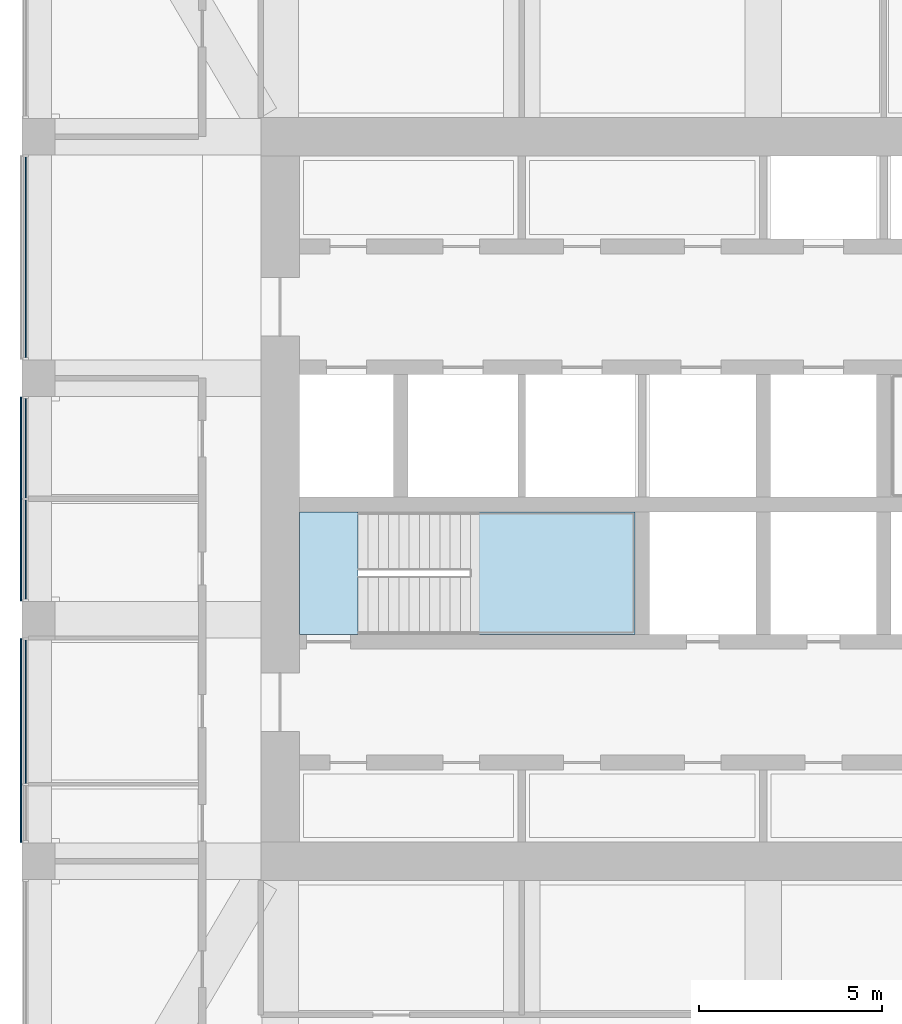
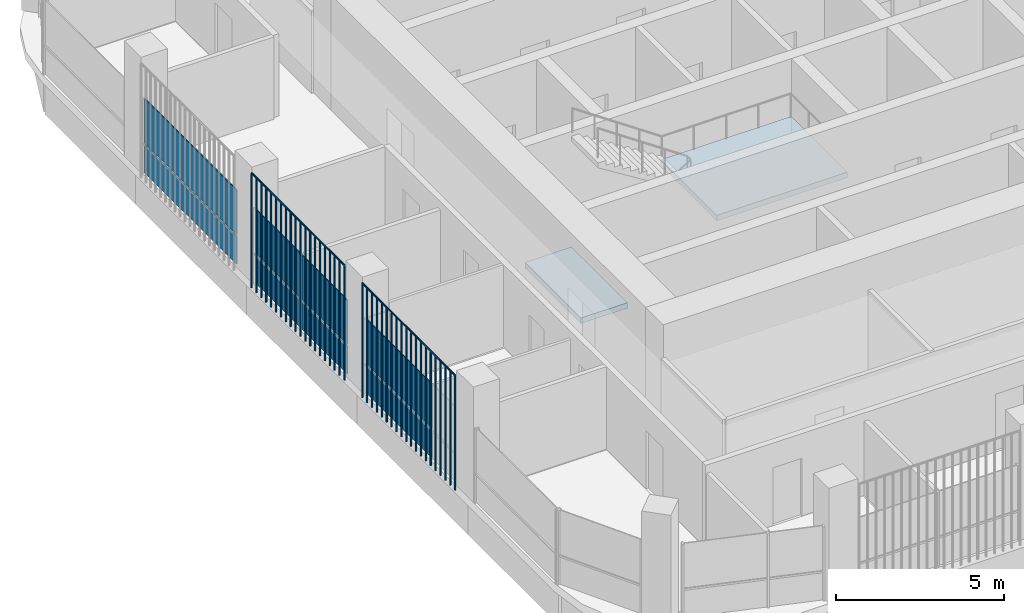
# One storey, part 9 of 21: 10 plates, 2 slabs, 4 elements without a shape of their own.
"""IFC4 building model written with IfcOpenShell, lengths in metres."""

from ifc_helpers import new_model, si_unit, direction, frame, origin, origin_2d, place, context, subcontext, project, spatial, polyline, rectangle, outline, extrude, material, layer, layer_set, type_object, element, aggregate, save


model = new_model("IFC4")

# Units and contexts
model_context = context("Model", 3, precision=1e-05, world=origin(), true_north=direction((0.0, 1.0)))
body_context = subcontext(model_context, "Body", "Model", "MODEL_VIEW")
ifc_project = project(units=[si_unit("LENGTHUNIT", "METRE"), si_unit("AREAUNIT", "SQUARE_METRE"), si_unit("VOLUMEUNIT", "CUBIC_METRE"), si_unit("PLANEANGLEUNIT", "RADIAN"), si_unit("MASSUNIT", "GRAM", prefix="KILO")], contexts=[model_context])

# Site, building, storey
site_placement = place(None, origin())
site = spatial("IfcSite", under=ifc_project, at=site_placement, CompositionType="ELEMENT")
building_placement = place(site_placement, origin())
building = spatial("IfcBuilding", under=site, at=building_placement, Name="Cobogo Forest Laboratory Tower", CompositionType="ELEMENT")
storey_placement = place(building_placement, frame((0.0, 0.0, 283.800048828125)))
storey = spatial("IfcBuildingStorey", under=building, at=storey_placement, Name="L65", CompositionType="ELEMENT", Elevation=283.800048828125)

# Curtain wall, plates
ifc_material_1 = material(Name="Aluminium curtain wall", Category="aluminium")
curtain_wall_type = type_object("IfcCurtainWallType", Name="CW-2 unitised curtain wall, solar control glazing, laboratory floors zones C and D", PredefinedType="USERDEFINED", material=ifc_material_1)
curtain_wall_1_placement = place(storey_placement, origin())
curtain_wall_1 = element("IfcCurtainWall", 1, at=curtain_wall_1_placement, inside=storey, type_object=curtain_wall_type, Name="Curtain wall 21 L65", ObjectType="UNITISED CURTAIN WALL", PredefinedType="USERDEFINED")
ifc_material_2 = material(Name="Solar control insulated glass", Category="glass")
ifc_layer_1 = layer(ifc_material_2, 0.031982421875)
ifc_layer_set_1 = layer_set([ifc_layer_1], Name="GP-2 solar control glass unit 32")
plate_type_1 = type_object("IfcPlateType", Name="GP-2 solar control glass unit 32", PredefinedType="CURTAIN_PANEL", material=ifc_layer_set_1)
plate_1_placement = place(storey_placement, frame((6.25, 29.699951171875, 0.0), z_axis=(0.0, 0.0, 1.0), x_axis=(0.0, -1.0, 0.0)))
plate_1 = element("IfcPlate", 2, at=plate_1_placement, type_object=plate_type_1, Name="CW-2 panel 1.1", PredefinedType="CURTAIN_PANEL", context=body_context, shape_type="SweptSolid", body=[
    extrude(rectangle(XDim=5.47998046875, YDim=0.031982421875, at=origin_2d()), origin(), (0.0, 0.0, 1.0), 1.02001953125),
])
plate_2_placement = place(storey_placement, frame((6.25, 29.699951171875, 1.079833984375), z_axis=(0.0, 0.0, 1.0), x_axis=(0.0, -1.0, 0.0)))
plate_2 = element("IfcPlate", 3, at=plate_2_placement, type_object=plate_type_1, Name="CW-2 panel 1.2", PredefinedType="CURTAIN_PANEL", context=body_context, shape_type="SweptSolid", body=[
    extrude(rectangle(XDim=5.47998046875, YDim=0.031982421875, at=origin_2d()), origin(), (0.0, 0.0, 1.0), 1.6201171875),
])
aggregate(curtain_wall_1, [plate_1, plate_2])

curtain_wall_2_placement = place(storey_placement, origin())
curtain_wall_2 = element("IfcCurtainWall", 4, at=curtain_wall_2_placement, inside=storey, type_object=curtain_wall_type, Name="Curtain wall 22 L65", ObjectType="UNITISED CURTAIN WALL", PredefinedType="USERDEFINED")
plate_3_placement = place(storey_placement, frame((6.25, 24.485107421875, 0.0), z_axis=(0.0, 0.0, 1.0), x_axis=(0.0, -1.0, 0.0)))
plate_3 = element("IfcPlate", 5, at=plate_3_placement, type_object=plate_type_1, Name="CW-2 panel 1.1", PredefinedType="CURTAIN_PANEL", context=body_context, shape_type="SweptSolid", body=[
    extrude(rectangle(XDim=2.7099609375, YDim=0.031982421875, at=origin_2d()), origin(), (0.0, 0.0, 1.0), 1.02001953125),
])
plate_4_placement = place(storey_placement, frame((6.25, 24.485107421875, 1.079833984375), z_axis=(0.0, 0.0, 1.0), x_axis=(0.0, -1.0, 0.0)))
plate_4 = element("IfcPlate", 6, at=plate_4_placement, type_object=plate_type_1, Name="CW-2 panel 1.2", PredefinedType="CURTAIN_PANEL", context=body_context, shape_type="SweptSolid", body=[
    extrude(rectangle(XDim=2.7099609375, YDim=0.031982421875, at=origin_2d()), origin(), (0.0, 0.0, 1.0), 1.6201171875),
])
plate_5_placement = place(storey_placement, frame((6.25, 21.715087890625, 0.0), z_axis=(0.0, 0.0, 1.0), x_axis=(0.0, -1.0, 0.0)))
plate_5 = element("IfcPlate", 7, at=plate_5_placement, type_object=plate_type_1, Name="CW-2 panel 2.1", PredefinedType="CURTAIN_PANEL", context=body_context, shape_type="SweptSolid", body=[
    extrude(rectangle(XDim=2.7099609375, YDim=0.031982421875, at=origin_2d()), origin(), (0.0, 0.0, 1.0), 1.02001953125),
])
plate_6_placement = place(storey_placement, frame((6.25, 21.715087890625, 1.079833984375), z_axis=(0.0, 0.0, 1.0), x_axis=(0.0, -1.0, 0.0)))
plate_6 = element("IfcPlate", 8, at=plate_6_placement, type_object=plate_type_1, Name="CW-2 panel 2.2", PredefinedType="CURTAIN_PANEL", context=body_context, shape_type="SweptSolid", body=[
    extrude(rectangle(XDim=2.7099609375, YDim=0.031982421875, at=origin_2d()), origin(), (0.0, 0.0, 1.0), 1.6201171875),
])
aggregate(curtain_wall_2, [plate_3, plate_4, plate_5, plate_6])

curtain_wall_3_placement = place(storey_placement, origin())
curtain_wall_3 = element("IfcCurtainWall", 9, at=curtain_wall_3_placement, inside=storey, type_object=curtain_wall_type, Name="Curtain wall 23 L65", ObjectType="UNITISED CURTAIN WALL", PredefinedType="USERDEFINED")
plate_7_placement = place(storey_placement, frame((6.25, 17.284912109375, 0.0), z_axis=(0.0, 0.0, 1.0), x_axis=(0.0, -1.0, 0.0)))
plate_7 = element("IfcPlate", 10, at=plate_7_placement, type_object=plate_type_1, Name="CW-2 panel 1.1", PredefinedType="CURTAIN_PANEL", context=body_context, shape_type="SweptSolid", body=[
    extrude(rectangle(XDim=3.909912109375, YDim=0.031982421875, at=origin_2d()), origin(), (0.0, 0.0, 1.0), 1.02001953125),
])
plate_8_placement = place(storey_placement, frame((6.25, 17.284912109375, 1.079833984375), z_axis=(0.0, 0.0, 1.0), x_axis=(0.0, -1.0, 0.0)))
plate_8 = element("IfcPlate", 11, at=plate_8_placement, type_object=plate_type_1, Name="CW-2 panel 1.2", PredefinedType="CURTAIN_PANEL", context=body_context, shape_type="SweptSolid", body=[
    extrude(rectangle(XDim=3.909912109375, YDim=0.031982421875, at=origin_2d()), origin(), (0.0, 0.0, 1.0), 1.6201171875),
])
aggregate(curtain_wall_3, [plate_7, plate_8])

# Stair, slabs
ifc_material_3 = material(Name="Precast concrete HA-40 (C40/50)", Category="concrete")
stair_type = type_object("IfcStairType", Name="ST24 exit stair 24 risers", PredefinedType="HALF_TURN_STAIR", material=ifc_material_3)
stair_placement = place(storey_placement, origin())
stair = element("IfcStair", 12, at=stair_placement, inside=storey, type_object=stair_type, Name="Stair 1 L65 to L66", PredefinedType="HALF_TURN_STAIR")
ifc_material_4 = material(Name="Concrete HA-40 (C40/50)", Category="concrete")
ifc_layer_2 = layer(ifc_material_4, 0.199951171875)
ifc_layer_set_2 = layer_set([ifc_layer_2], Name="SL stair landing 200")
slab_type = type_object("IfcSlabType", Name="SL stair landing 200", PredefinedType="LANDING", material=ifc_layer_set_2)
slab_1_placement = place(storey_placement, frame((0.0, 0.0, -0.199951171875)))
slab_1 = element("IfcSlab", 13, at=slab_1_placement, type_object=slab_type, Name="ST1 landing 1", PredefinedType="LANDING", context=body_context, shape_type="SweptSolid", body=[
    extrude(outline(polyline([(13.72509765625, 19.39990234375), (15.326904296875, 19.39990234375), (15.326904296875, 22.75), (13.72509765625, 22.75), (13.72509765625, 19.39990234375)])), origin(), (0.0, 0.0, 1.0), 0.199951171875),
])
slab_2_placement = place(storey_placement, frame((0.0, 0.0, 1.89990234375)))
slab_2 = element("IfcSlab", 14, at=slab_2_placement, type_object=slab_type, Name="ST1 landing 2", PredefinedType="LANDING", context=body_context, shape_type="SweptSolid", body=[
    extrude(outline(polyline([(18.403076171875, 19.39990234375), (22.89990234375, 19.39990234375), (22.89990234375, 22.75), (18.403076171875, 22.75), (18.403076171875, 19.39990234375)])), origin(), (0.0, 0.0, 1.0), 0.199951171875),
])
aggregate(stair, [slab_1, slab_2])

# Plates
ifc_material_5 = material(Name="Terracotta", Category="masonry")
plate_type_2 = type_object("IfcPlateType", Name="TB1 terracotta baguette screen", PredefinedType="USERDEFINED", material=ifc_material_5)
plate_9_placement = place(storey_placement, frame((6.1220703125, 13.731201171875, -0.150146484375)))
element("IfcPlate", 15, at=plate_9_placement, inside=storey, type_object=plate_type_2, Name="Baguette screen W1 L65", ObjectType="BAGUETTE SCREEN", PredefinedType="USERDEFINED", context=body_context, shape_type="SweptSolid", body=[
    extrude(outline(polyline([(0.02880859375, 0.011962890625), (0.011962890625, 0.02880859375), (-0.011962890625, 0.02880859375), (-0.02880859375, 0.011962890625), (-0.02880859375, -0.011962890625), (-0.011962890625, -0.02880859375), (0.011962890625, -0.02880859375), (0.02880859375, -0.011962890625), (0.02880859375, 0.011962890625)])), frame((0.0, 0.0, 4.168701171875), z_axis=(0.0, 1.0, 0.0), x_axis=(-1.0, 0.0, 0.0)), (0.0, 0.0, 1.0), 5.53759765625),
    extrude(outline(polyline([(0.02880859375, 0.011962890625), (0.011962890625, 0.02880859375), (-0.011962890625, 0.02880859375), (-0.02880859375, 0.011962890625), (-0.02880859375, -0.011962890625), (-0.011962890625, -0.02880859375), (0.011962890625, -0.02880859375), (0.02880859375, -0.011962890625), (0.02880859375, 0.011962890625)])), origin(), (0.0, 0.0, 1.0), 4.137451171875),
    extrude(outline(polyline([(0.02880859375, 0.011962890625), (0.011962890625, 0.02880859375), (-0.011962890625, 0.02880859375), (-0.02880859375, 0.011962890625), (-0.02880859375, -0.011962890625), (-0.011962890625, -0.02880859375), (0.011962890625, -0.02880859375), (0.02880859375, -0.011962890625), (0.02880859375, 0.011962890625)])), frame((0.0, 0.29150390625, 0.0)), (0.0, 0.0, 1.0), 4.137451171875),
    extrude(outline(polyline([(0.02880859375, 0.011962890625), (0.011962890625, 0.02880859375), (-0.011962890625, 0.02880859375), (-0.02880859375, 0.011962890625), (-0.02880859375, -0.011962890625), (-0.011962890625, -0.02880859375), (0.011962890625, -0.02880859375), (0.02880859375, -0.011962890625), (0.02880859375, 0.011962890625)])), frame((0.0, 0.5830078125, 0.0)), (0.0, 0.0, 1.0), 4.137451171875),
    extrude(outline(polyline([(0.02880859375, 0.011962890625), (0.011962890625, 0.02880859375), (-0.011962890625, 0.02880859375), (-0.02880859375, 0.011962890625), (-0.02880859375, -0.011962890625), (-0.011962890625, -0.02880859375), (0.011962890625, -0.02880859375), (0.02880859375, -0.011962890625), (0.02880859375, 0.011962890625)])), frame((0.0, 0.874267578125, 0.0)), (0.0, 0.0, 1.0), 4.137451171875),
    extrude(outline(polyline([(0.02880859375, 0.011962890625), (0.011962890625, 0.02880859375), (-0.011962890625, 0.02880859375), (-0.02880859375, 0.011962890625), (-0.02880859375, -0.011962890625), (-0.011962890625, -0.02880859375), (0.011962890625, -0.02880859375), (0.02880859375, -0.011962890625), (0.02880859375, 0.011962890625)])), frame((0.0, 1.165771484375, 0.0)), (0.0, 0.0, 1.0), 4.137451171875),
    extrude(outline(polyline([(0.02880859375, 0.011962890625), (0.011962890625, 0.02880859375), (-0.011962890625, 0.02880859375), (-0.02880859375, 0.011962890625), (-0.02880859375, -0.011962890625), (-0.011962890625, -0.02880859375), (0.011962890625, -0.02880859375), (0.02880859375, -0.011962890625), (0.02880859375, 0.011962890625)])), frame((0.0, 1.457275390625, 0.0)), (0.0, 0.0, 1.0), 4.137451171875),
    extrude(outline(polyline([(0.02880859375, 0.011962890625), (0.011962890625, 0.02880859375), (-0.011962890625, 0.02880859375), (-0.02880859375, 0.011962890625), (-0.02880859375, -0.011962890625), (-0.011962890625, -0.02880859375), (0.011962890625, -0.02880859375), (0.02880859375, -0.011962890625), (0.02880859375, 0.011962890625)])), frame((0.0, 1.748779296875, 0.0)), (0.0, 0.0, 1.0), 4.137451171875),
    extrude(outline(polyline([(0.02880859375, 0.011962890625), (0.011962890625, 0.02880859375), (-0.011962890625, 0.02880859375), (-0.02880859375, 0.011962890625), (-0.02880859375, -0.011962890625), (-0.011962890625, -0.02880859375), (0.011962890625, -0.02880859375), (0.02880859375, -0.011962890625), (0.02880859375, 0.011962890625)])), frame((0.0, 2.040283203125, 0.0)), (0.0, 0.0, 1.0), 4.137451171875),
    extrude(outline(polyline([(0.02880859375, 0.011962890625), (0.011962890625, 0.02880859375), (-0.011962890625, 0.02880859375), (-0.02880859375, 0.011962890625), (-0.02880859375, -0.011962890625), (-0.011962890625, -0.02880859375), (0.011962890625, -0.02880859375), (0.02880859375, -0.011962890625), (0.02880859375, 0.011962890625)])), frame((0.0, 2.33154296875, 0.0)), (0.0, 0.0, 1.0), 4.137451171875),
    extrude(outline(polyline([(0.02880859375, 0.011962890625), (0.011962890625, 0.02880859375), (-0.011962890625, 0.02880859375), (-0.02880859375, 0.011962890625), (-0.02880859375, -0.011962890625), (-0.011962890625, -0.02880859375), (0.011962890625, -0.02880859375), (0.02880859375, -0.011962890625), (0.02880859375, 0.011962890625)])), frame((0.0, 2.623046875, 0.0)), (0.0, 0.0, 1.0), 4.137451171875),
    extrude(outline(polyline([(0.02880859375, 0.011962890625), (0.011962890625, 0.02880859375), (-0.011962890625, 0.02880859375), (-0.02880859375, 0.011962890625), (-0.02880859375, -0.011962890625), (-0.011962890625, -0.02880859375), (0.011962890625, -0.02880859375), (0.02880859375, -0.011962890625), (0.02880859375, 0.011962890625)])), frame((0.0, 2.91455078125, 0.0)), (0.0, 0.0, 1.0), 4.137451171875),
    extrude(outline(polyline([(0.02880859375, 0.011962890625), (0.011962890625, 0.02880859375), (-0.011962890625, 0.02880859375), (-0.02880859375, 0.011962890625), (-0.02880859375, -0.011962890625), (-0.011962890625, -0.02880859375), (0.011962890625, -0.02880859375), (0.02880859375, -0.011962890625), (0.02880859375, 0.011962890625)])), frame((0.0, 3.2060546875, 0.0)), (0.0, 0.0, 1.0), 4.137451171875),
    extrude(outline(polyline([(0.02880859375, 0.011962890625), (0.011962890625, 0.02880859375), (-0.011962890625, 0.02880859375), (-0.02880859375, 0.011962890625), (-0.02880859375, -0.011962890625), (-0.011962890625, -0.02880859375), (0.011962890625, -0.02880859375), (0.02880859375, -0.011962890625), (0.02880859375, 0.011962890625)])), frame((0.0, 3.497314453125, 0.0)), (0.0, 0.0, 1.0), 4.137451171875),
    extrude(outline(polyline([(0.02880859375, 0.011962890625), (0.011962890625, 0.02880859375), (-0.011962890625, 0.02880859375), (-0.02880859375, 0.011962890625), (-0.02880859375, -0.011962890625), (-0.011962890625, -0.02880859375), (0.011962890625, -0.02880859375), (0.02880859375, -0.011962890625), (0.02880859375, 0.011962890625)])), frame((0.0, 3.788818359375, 0.0)), (0.0, 0.0, 1.0), 4.137451171875),
    extrude(outline(polyline([(0.02880859375, 0.011962890625), (0.011962890625, 0.02880859375), (-0.011962890625, 0.02880859375), (-0.02880859375, 0.011962890625), (-0.02880859375, -0.011962890625), (-0.011962890625, -0.02880859375), (0.011962890625, -0.02880859375), (0.02880859375, -0.011962890625), (0.02880859375, 0.011962890625)])), frame((0.0, 4.080322265625, 0.0)), (0.0, 0.0, 1.0), 4.137451171875),
    extrude(outline(polyline([(0.02880859375, 0.011962890625), (0.011962890625, 0.02880859375), (-0.011962890625, 0.02880859375), (-0.02880859375, 0.011962890625), (-0.02880859375, -0.011962890625), (-0.011962890625, -0.02880859375), (0.011962890625, -0.02880859375), (0.02880859375, -0.011962890625), (0.02880859375, 0.011962890625)])), frame((0.0, 4.371826171875, 0.0)), (0.0, 0.0, 1.0), 4.137451171875),
    extrude(outline(polyline([(0.02880859375, 0.011962890625), (0.011962890625, 0.02880859375), (-0.011962890625, 0.02880859375), (-0.02880859375, 0.011962890625), (-0.02880859375, -0.011962890625), (-0.011962890625, -0.02880859375), (0.011962890625, -0.02880859375), (0.02880859375, -0.011962890625), (0.02880859375, 0.011962890625)])), frame((0.0, 4.663330078125, 0.0)), (0.0, 0.0, 1.0), 4.137451171875),
    extrude(outline(polyline([(0.02880859375, 0.011962890625), (0.011962890625, 0.02880859375), (-0.011962890625, 0.02880859375), (-0.02880859375, 0.011962890625), (-0.02880859375, -0.011962890625), (-0.011962890625, -0.02880859375), (0.011962890625, -0.02880859375), (0.02880859375, -0.011962890625), (0.02880859375, 0.011962890625)])), frame((0.0, 4.95458984375, 0.0)), (0.0, 0.0, 1.0), 4.137451171875),
    extrude(outline(polyline([(0.02880859375, 0.011962890625), (0.011962890625, 0.02880859375), (-0.011962890625, 0.02880859375), (-0.02880859375, 0.011962890625), (-0.02880859375, -0.011962890625), (-0.011962890625, -0.02880859375), (0.011962890625, -0.02880859375), (0.02880859375, -0.011962890625), (0.02880859375, 0.011962890625)])), frame((0.0, 5.24609375, 0.0)), (0.0, 0.0, 1.0), 4.137451171875),
    extrude(outline(polyline([(0.02880859375, 0.011962890625), (0.011962890625, 0.02880859375), (-0.011962890625, 0.02880859375), (-0.02880859375, 0.011962890625), (-0.02880859375, -0.011962890625), (-0.011962890625, -0.02880859375), (0.011962890625, -0.02880859375), (0.02880859375, -0.011962890625), (0.02880859375, 0.011962890625)])), frame((0.0, 5.53759765625, 0.0)), (0.0, 0.0, 1.0), 4.137451171875),
])
plate_10_placement = place(storey_placement, frame((6.1220703125, 20.331298828125, -0.150146484375)))
element("IfcPlate", 16, at=plate_10_placement, inside=storey, type_object=plate_type_2, Name="Baguette screen W2 L65", ObjectType="BAGUETTE SCREEN", PredefinedType="USERDEFINED", context=body_context, shape_type="SweptSolid", body=[
    extrude(outline(polyline([(0.02880859375, 0.011962890625), (0.011962890625, 0.02880859375), (-0.011962890625, 0.02880859375), (-0.02880859375, 0.011962890625), (-0.02880859375, -0.011962890625), (-0.011962890625, -0.02880859375), (0.011962890625, -0.02880859375), (0.02880859375, -0.011962890625), (0.02880859375, 0.011962890625)])), frame((0.0, 0.0, 4.168701171875), z_axis=(0.0, 1.0, 0.0), x_axis=(-1.0, 0.0, 0.0)), (0.0, 0.0, 1.0), 5.537353515625),
    extrude(outline(polyline([(0.02880859375, 0.011962890625), (0.011962890625, 0.02880859375), (-0.011962890625, 0.02880859375), (-0.02880859375, 0.011962890625), (-0.02880859375, -0.011962890625), (-0.011962890625, -0.02880859375), (0.011962890625, -0.02880859375), (0.02880859375, -0.011962890625), (0.02880859375, 0.011962890625)])), origin(), (0.0, 0.0, 1.0), 4.137451171875),
    extrude(outline(polyline([(0.02880859375, 0.011962890625), (0.011962890625, 0.02880859375), (-0.011962890625, 0.02880859375), (-0.02880859375, 0.011962890625), (-0.02880859375, -0.011962890625), (-0.011962890625, -0.02880859375), (0.011962890625, -0.02880859375), (0.02880859375, -0.011962890625), (0.02880859375, 0.011962890625)])), frame((0.0, 0.29150390625, 0.0)), (0.0, 0.0, 1.0), 4.137451171875),
    extrude(outline(polyline([(0.02880859375, 0.011962890625), (0.011962890625, 0.02880859375), (-0.011962890625, 0.02880859375), (-0.02880859375, 0.011962890625), (-0.02880859375, -0.011962890625), (-0.011962890625, -0.02880859375), (0.011962890625, -0.02880859375), (0.02880859375, -0.011962890625), (0.02880859375, 0.011962890625)])), frame((0.0, 0.582763671875, 0.0)), (0.0, 0.0, 1.0), 4.137451171875),
    extrude(outline(polyline([(0.02880859375, 0.011962890625), (0.011962890625, 0.02880859375), (-0.011962890625, 0.02880859375), (-0.02880859375, 0.011962890625), (-0.02880859375, -0.011962890625), (-0.011962890625, -0.02880859375), (0.011962890625, -0.02880859375), (0.02880859375, -0.011962890625), (0.02880859375, 0.011962890625)])), frame((0.0, 0.874267578125, 0.0)), (0.0, 0.0, 1.0), 4.137451171875),
    extrude(outline(polyline([(0.02880859375, 0.011962890625), (0.011962890625, 0.02880859375), (-0.011962890625, 0.02880859375), (-0.02880859375, 0.011962890625), (-0.02880859375, -0.011962890625), (-0.011962890625, -0.02880859375), (0.011962890625, -0.02880859375), (0.02880859375, -0.011962890625), (0.02880859375, 0.011962890625)])), frame((0.0, 1.165771484375, 0.0)), (0.0, 0.0, 1.0), 4.137451171875),
    extrude(outline(polyline([(0.02880859375, 0.011962890625), (0.011962890625, 0.02880859375), (-0.011962890625, 0.02880859375), (-0.02880859375, 0.011962890625), (-0.02880859375, -0.011962890625), (-0.011962890625, -0.02880859375), (0.011962890625, -0.02880859375), (0.02880859375, -0.011962890625), (0.02880859375, 0.011962890625)])), frame((0.0, 1.457275390625, 0.0)), (0.0, 0.0, 1.0), 4.137451171875),
    extrude(outline(polyline([(0.02880859375, 0.011962890625), (0.011962890625, 0.02880859375), (-0.011962890625, 0.02880859375), (-0.02880859375, 0.011962890625), (-0.02880859375, -0.011962890625), (-0.011962890625, -0.02880859375), (0.011962890625, -0.02880859375), (0.02880859375, -0.011962890625), (0.02880859375, 0.011962890625)])), frame((0.0, 1.74853515625, 0.0)), (0.0, 0.0, 1.0), 4.137451171875),
    extrude(outline(polyline([(0.02880859375, 0.011962890625), (0.011962890625, 0.02880859375), (-0.011962890625, 0.02880859375), (-0.02880859375, 0.011962890625), (-0.02880859375, -0.011962890625), (-0.011962890625, -0.02880859375), (0.011962890625, -0.02880859375), (0.02880859375, -0.011962890625), (0.02880859375, 0.011962890625)])), frame((0.0, 2.0400390625, 0.0)), (0.0, 0.0, 1.0), 4.137451171875),
    extrude(outline(polyline([(0.02880859375, 0.011962890625), (0.011962890625, 0.02880859375), (-0.011962890625, 0.02880859375), (-0.02880859375, 0.011962890625), (-0.02880859375, -0.011962890625), (-0.011962890625, -0.02880859375), (0.011962890625, -0.02880859375), (0.02880859375, -0.011962890625), (0.02880859375, 0.011962890625)])), frame((0.0, 2.33154296875, 0.0)), (0.0, 0.0, 1.0), 4.137451171875),
    extrude(outline(polyline([(0.02880859375, 0.011962890625), (0.011962890625, 0.02880859375), (-0.011962890625, 0.02880859375), (-0.02880859375, 0.011962890625), (-0.02880859375, -0.011962890625), (-0.011962890625, -0.02880859375), (0.011962890625, -0.02880859375), (0.02880859375, -0.011962890625), (0.02880859375, 0.011962890625)])), frame((0.0, 2.623046875, 0.0)), (0.0, 0.0, 1.0), 4.137451171875),
    extrude(outline(polyline([(0.02880859375, 0.011962890625), (0.011962890625, 0.02880859375), (-0.011962890625, 0.02880859375), (-0.02880859375, 0.011962890625), (-0.02880859375, -0.011962890625), (-0.011962890625, -0.02880859375), (0.011962890625, -0.02880859375), (0.02880859375, -0.011962890625), (0.02880859375, 0.011962890625)])), frame((0.0, 2.914306640625, 0.0)), (0.0, 0.0, 1.0), 4.137451171875),
    extrude(outline(polyline([(0.02880859375, 0.011962890625), (0.011962890625, 0.02880859375), (-0.011962890625, 0.02880859375), (-0.02880859375, 0.011962890625), (-0.02880859375, -0.011962890625), (-0.011962890625, -0.02880859375), (0.011962890625, -0.02880859375), (0.02880859375, -0.011962890625), (0.02880859375, 0.011962890625)])), frame((0.0, 3.205810546875, 0.0)), (0.0, 0.0, 1.0), 4.137451171875),
    extrude(outline(polyline([(0.02880859375, 0.011962890625), (0.011962890625, 0.02880859375), (-0.011962890625, 0.02880859375), (-0.02880859375, 0.011962890625), (-0.02880859375, -0.011962890625), (-0.011962890625, -0.02880859375), (0.011962890625, -0.02880859375), (0.02880859375, -0.011962890625), (0.02880859375, 0.011962890625)])), frame((0.0, 3.497314453125, 0.0)), (0.0, 0.0, 1.0), 4.137451171875),
    extrude(outline(polyline([(0.02880859375, 0.011962890625), (0.011962890625, 0.02880859375), (-0.011962890625, 0.02880859375), (-0.02880859375, 0.011962890625), (-0.02880859375, -0.011962890625), (-0.011962890625, -0.02880859375), (0.011962890625, -0.02880859375), (0.02880859375, -0.011962890625), (0.02880859375, 0.011962890625)])), frame((0.0, 3.788818359375, 0.0)), (0.0, 0.0, 1.0), 4.137451171875),
    extrude(outline(polyline([(0.02880859375, 0.011962890625), (0.011962890625, 0.02880859375), (-0.011962890625, 0.02880859375), (-0.02880859375, 0.011962890625), (-0.02880859375, -0.011962890625), (-0.011962890625, -0.02880859375), (0.011962890625, -0.02880859375), (0.02880859375, -0.011962890625), (0.02880859375, 0.011962890625)])), frame((0.0, 4.080078125, 0.0)), (0.0, 0.0, 1.0), 4.137451171875),
    extrude(outline(polyline([(0.02880859375, 0.011962890625), (0.011962890625, 0.02880859375), (-0.011962890625, 0.02880859375), (-0.02880859375, 0.011962890625), (-0.02880859375, -0.011962890625), (-0.011962890625, -0.02880859375), (0.011962890625, -0.02880859375), (0.02880859375, -0.011962890625), (0.02880859375, 0.011962890625)])), frame((0.0, 4.37158203125, 0.0)), (0.0, 0.0, 1.0), 4.137451171875),
    extrude(outline(polyline([(0.02880859375, 0.011962890625), (0.011962890625, 0.02880859375), (-0.011962890625, 0.02880859375), (-0.02880859375, 0.011962890625), (-0.02880859375, -0.011962890625), (-0.011962890625, -0.02880859375), (0.011962890625, -0.02880859375), (0.02880859375, -0.011962890625), (0.02880859375, 0.011962890625)])), frame((0.0, 4.6630859375, 0.0)), (0.0, 0.0, 1.0), 4.137451171875),
    extrude(outline(polyline([(0.02880859375, 0.011962890625), (0.011962890625, 0.02880859375), (-0.011962890625, 0.02880859375), (-0.02880859375, 0.011962890625), (-0.02880859375, -0.011962890625), (-0.011962890625, -0.02880859375), (0.011962890625, -0.02880859375), (0.02880859375, -0.011962890625), (0.02880859375, 0.011962890625)])), frame((0.0, 4.95458984375, 0.0)), (0.0, 0.0, 1.0), 4.137451171875),
    extrude(outline(polyline([(0.02880859375, 0.011962890625), (0.011962890625, 0.02880859375), (-0.011962890625, 0.02880859375), (-0.02880859375, 0.011962890625), (-0.02880859375, -0.011962890625), (-0.011962890625, -0.02880859375), (0.011962890625, -0.02880859375), (0.02880859375, -0.011962890625), (0.02880859375, 0.011962890625)])), frame((0.0, 5.245849609375, 0.0)), (0.0, 0.0, 1.0), 4.137451171875),
    extrude(outline(polyline([(0.02880859375, 0.011962890625), (0.011962890625, 0.02880859375), (-0.011962890625, 0.02880859375), (-0.02880859375, 0.011962890625), (-0.02880859375, -0.011962890625), (-0.011962890625, -0.02880859375), (0.011962890625, -0.02880859375), (0.02880859375, -0.011962890625), (0.02880859375, 0.011962890625)])), frame((0.0, 5.537353515625, 0.0)), (0.0, 0.0, 1.0), 4.137451171875),
])

save(model, "model.ifc")
